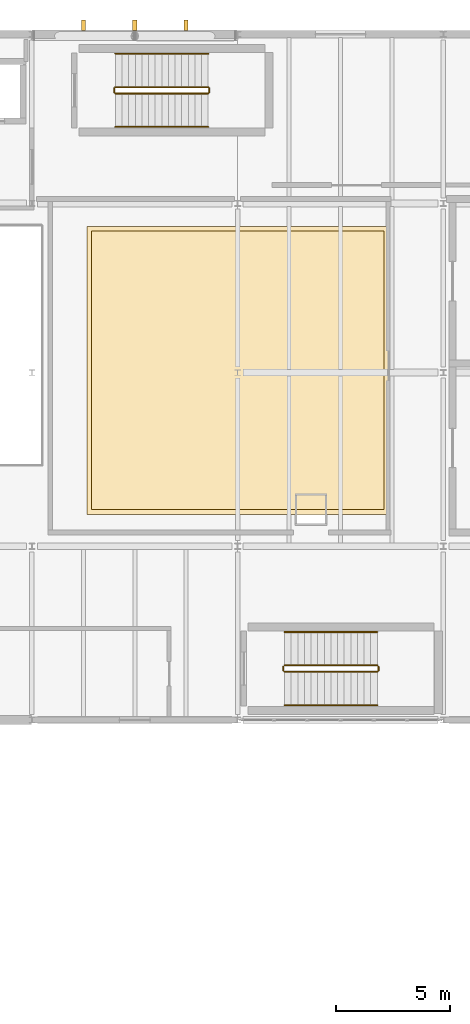
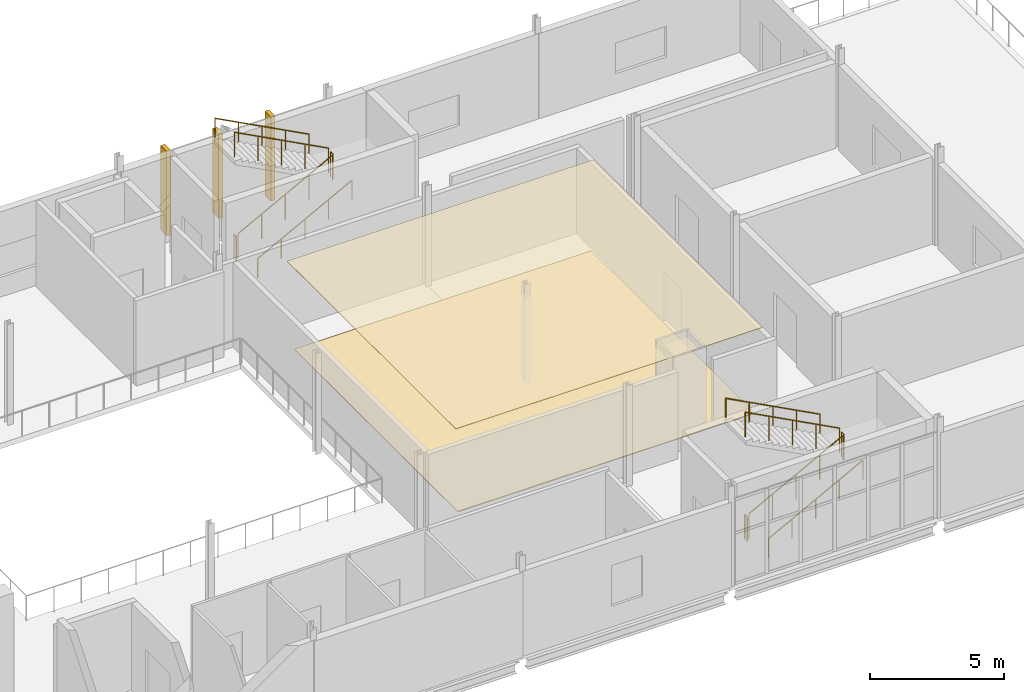
# One storey, part 36 of 37: 12 railings, 3 shading devices, 2 coverings.
"""IFC4 building model written with IfcOpenShell, lengths in metres."""

import ifcopenshell
import ifcopenshell.guid

model = None  # the IFC model being written
_history = None  # IfcOwnerHistory: only IFC2X3 demands one
_inside = {}  # id of a spatial element -> (the spatial element, [elements in it])
_under = {}  # id of a project, library or spatial element -> (it, [spatial elements below it])
_declared = {}  # id of a project -> (the project, [libraries it declares])
_typed = {}  # id of a type object -> (the type object, [elements of that type])
_made_of = {}  # id of a material, layer set ... -> (it, [elements and type objects made of it])


def new_model(schema):
    """Start an empty IFC model of exactly this schema.

    Asked for "IFC4X3", IfcOpenShell would pick the latest addendum, in which some entities
    have other attributes; the version numbers below select the first issue.
    IFC2X3 requires an IfcOwnerHistory on every rooted entity: one is made here for all.
    """
    global model, _history
    if schema == "IFC4X3":
        model = ifcopenshell.file(schema_version=(4, 3, 0, 0))
    else:
        model = ifcopenshell.file(schema=schema)
    _inside.clear()
    _under.clear()
    _declared.clear()
    _typed.clear()
    _made_of.clear()
    _history = None
    if model.schema == "IFC2X3":
        org = make("IfcOrganization", Name="unknown")
        user = make(
            "IfcPersonAndOrganization",
            ThePerson=make("IfcPerson", FamilyName="unknown"),
            TheOrganization=org,
        )
        app = make(
            "IfcApplication",
            ApplicationDeveloper=org,
            Version="unknown",
            ApplicationFullName="unknown",
            ApplicationIdentifier="unknown",
        )
        _history = make(
            "IfcOwnerHistory",
            OwningUser=user,
            OwningApplication=app,
            ChangeAction="ADDED",
            CreationDate=0,
        )
    return model


def make(cls, **values):
    """One entity of the class cls with the attributes given. An attribute that is None is left unset."""
    return model.create_entity(
        cls, **{name: value for name, value in values.items() if value is not None}
    )


def rooted(cls, **values):
    """An entity with a GlobalId (a new one), such as an element, a storey or a relation."""
    return make(cls, GlobalId=ifcopenshell.guid.new(), OwnerHistory=_history, **values)


def si_unit(unit_type, name, prefix=None):
    """IfcSIUnit, for example si_unit("LENGTHUNIT", "METRE", prefix="MILLI")."""
    return make("IfcSIUnit", UnitType=unit_type, Prefix=prefix, Name=name)


def assignment(units):
    """IfcUnitAssignment: the units of a project."""
    return None if units is None else make("IfcUnitAssignment", Units=units)


def point(xyz):
    """IfcCartesianPoint."""
    return None if xyz is None else make("IfcCartesianPoint", Coordinates=xyz)


def direction(xyz):
    """IfcDirection."""
    return None if xyz is None else make("IfcDirection", DirectionRatios=xyz)


def frame(location, z_axis=None, x_axis=None):
    """IfcAxis2Placement3D, a coordinate frame: its origin and axes. An axis left out is left unset."""
    return make(
        "IfcAxis2Placement3D",
        Location=point(location),
        Axis=direction(z_axis),
        RefDirection=direction(x_axis),
    )


def frame_2d(location, x_axis=None):
    """IfcAxis2Placement2D, a coordinate frame in the plane: its origin and x axis."""
    return make(
        "IfcAxis2Placement2D", Location=point(location), RefDirection=direction(x_axis)
    )


def origin():
    """The frame at (0, 0, 0) with its axes left unset."""
    return frame((0.0, 0.0, 0.0))


def origin_2d():
    """The frame at (0, 0) in the plane with its x axis left unset."""
    return frame_2d((0.0, 0.0))


def place(relative_to, where):
    """IfcLocalPlacement: puts the frame where relative to a parent placement (None: the world)."""
    return make(
        "IfcLocalPlacement", PlacementRelTo=relative_to, RelativePlacement=where
    )


def context(
    kind, dimensions, precision=None, world=None, true_north=None, identifier=None
):
    """IfcGeometricRepresentationContext, for example the 3D "Model" context."""
    return make(
        "IfcGeometricRepresentationContext",
        ContextIdentifier=identifier,
        ContextType=kind,
        CoordinateSpaceDimension=dimensions,
        Precision=precision,
        WorldCoordinateSystem=world,
        TrueNorth=true_north,
    )


def subcontext(parent, identifier, kind, view, scale=None):
    """IfcGeometricRepresentationSubContext, for example "Body" below "Model"."""
    return make(
        "IfcGeometricRepresentationSubContext",
        ContextIdentifier=identifier,
        ContextType=kind,
        ParentContext=parent,
        TargetScale=scale,
        TargetView=view,
    )


def project(units=None, contexts=None):
    """IfcProject with its units and contexts."""
    return rooted(
        "IfcProject",
        Name="project",
        RepresentationContexts=contexts,
        UnitsInContext=assignment(units),
    )


def spatial(cls, under=None, at=None, **own):
    """A site, building, storey or space (cls), placed at a placement, below another one or the project."""
    s = rooted(cls, ObjectPlacement=at, **own)
    if under is not None:
        _under.setdefault(under.id(), (under, []))[1].append(s)
    return s


def polyline(points):
    """IfcPolyline through the points."""
    return make("IfcPolyline", Points=[point(p) for p in points])


def profile(cls, at=None, kind="AREA", **sizes):
    """A parametric profile (cls). Its sizes go by their IFC names, for example OverallWidth=200.0."""
    return make(cls, ProfileType=kind, Position=at, **sizes)


def rectangle(**sizes):
    """IfcRectangleProfileDef."""
    return profile("IfcRectangleProfileDef", **sizes)


def circle(**sizes):
    """IfcCircleProfileDef."""
    return profile("IfcCircleProfileDef", **sizes)


def outline(outer, holes=None, kind="AREA"):
    """IfcArbitraryClosedProfileDef: a profile drawn as a closed curve; with holes, ...WithVoids."""
    if holes is None:
        return make("IfcArbitraryClosedProfileDef", ProfileType=kind, OuterCurve=outer)
    return make(
        "IfcArbitraryProfileDefWithVoids",
        ProfileType=kind,
        OuterCurve=outer,
        InnerCurves=holes,
    )


def extrude(swept, where, along, depth):
    """IfcExtrudedAreaSolid: the profile swept, set in the frame where, extruded along a direction by depth."""
    return make(
        "IfcExtrudedAreaSolid",
        SweptArea=swept,
        Position=where,
        ExtrudedDirection=direction(along),
        Depth=depth,
    )


def shape(context_of_items, identifier, shape_type, items):
    """IfcShapeRepresentation: the items that make up one representation, for example the "Body"."""
    return make(
        "IfcShapeRepresentation",
        ContextOfItems=context_of_items,
        RepresentationIdentifier=identifier,
        RepresentationType=shape_type,
        Items=items,
    )


def material(Name=None, Category=None):
    """IfcMaterial."""
    return make("IfcMaterial", Name=Name, Category=Category)


def layer(
    of_material, thickness, ventilated=None, Name=None, Category=None, Priority=None
):
    """IfcMaterialLayer: one layer of a wall or slab, of a material (None: an air gap)."""
    return make(
        "IfcMaterialLayer",
        Material=of_material,
        LayerThickness=thickness,
        IsVentilated=ventilated,
        Name=Name,
        Category=Category,
        Priority=Priority,
    )


def layer_set(layers, Name=None):
    """IfcMaterialLayerSet."""
    return make("IfcMaterialLayerSet", MaterialLayers=layers, LayerSetName=Name)


def made_of(thing, what):
    """Note that an element or type object is made of a material, layer set ...; save() writes the relation."""
    if what is not None:
        _made_of.setdefault(what.id(), (what, []))[1].append(thing)
    return thing


def type_object(cls, material=None, **own):
    """A type object (cls), such as IfcWallType, which elements share."""
    return made_of(rooted(cls, **own), material)


def element(
    cls,
    number,
    at=None,
    inside=None,
    cuts=None,
    type_object=None,
    material=None,
    context=None,
    identifier="Body",
    shape_type=None,
    held_by="IfcProductDefinitionShape",
    body=None,
    shapes=None,
    **own,
):
    """One element of the class cls, such as IfcWall. Its Tag is "e" and its number.

    at: its placement. inside: the storey or other place that contains it. cuts: it is an
    opening in that element (IfcRelVoidsElement). A single representation is given by context,
    identifier, shape_type and body (its items); several are given by shapes. held_by: the class
    of the entity that holds the representations. save() writes the other relations.
    """
    e = rooted(cls, Tag="e%d" % number, ObjectPlacement=at, **own)
    if body is not None:
        shapes = [shape(context, identifier, shape_type, body)]
    if shapes is not None:
        e.Representation = make(held_by, Representations=shapes)
    if inside is not None:
        _inside.setdefault(inside.id(), (inside, []))[1].append(e)
    if cuts is not None:
        rooted(
            "IfcRelVoidsElement", RelatingBuildingElement=cuts, RelatedOpeningElement=e
        )
    if type_object is not None:
        _typed.setdefault(type_object.id(), (type_object, []))[1].append(e)
    return made_of(e, material)


def aggregate(whole, parts):
    """IfcRelAggregates: a whole, such as a stair, and the parts it consists of."""
    return rooted("IfcRelAggregates", RelatingObject=whole, RelatedObjects=parts)


def save(model, path):
    """Write the relations noted so far, then the file.

    IfcRelAggregates (storeys below a building ...), IfcRelContainedInSpatialStructure (elements
    in a storey), IfcRelDefinesByType, IfcRelAssociatesMaterial and IfcRelDeclares: one each for
    every whole, place, type object, material and project.
    """
    for whole, parts in _under.values():
        aggregate(whole, parts)
    for where, things in _inside.values():
        rooted(
            "IfcRelContainedInSpatialStructure",
            RelatedElements=things,
            RelatingStructure=where,
        )
    for kind, things in _typed.values():
        rooted("IfcRelDefinesByType", RelatedObjects=things, RelatingType=kind)
    for what, things in _made_of.values():
        rooted("IfcRelAssociatesMaterial", RelatedObjects=things, RelatingMaterial=what)
    for by, libraries in _declared.values():
        rooted("IfcRelDeclares", RelatingContext=by, RelatedDefinitions=libraries)
    model.write(path)


model = new_model("IFC4")

# Units and contexts
model_context = context("Model", 3, precision=1e-05, world=origin(), true_north=direction((0.0, 1.0)))
body_context = subcontext(model_context, "Body", "Model", "MODEL_VIEW")
ifc_project = project(units=[si_unit("LENGTHUNIT", "METRE"), si_unit("AREAUNIT", "SQUARE_METRE"), si_unit("VOLUMEUNIT", "CUBIC_METRE"), si_unit("PLANEANGLEUNIT", "RADIAN"), si_unit("MASSUNIT", "GRAM", prefix="KILO")], contexts=[model_context])

# Site, building, storey
site_placement = place(None, origin())
site = spatial("IfcSite", under=ifc_project, at=site_placement, CompositionType="ELEMENT")
building_placement = place(site_placement, origin())
building = spatial("IfcBuilding", under=site, at=building_placement, Name="Shengluoqiao Park Theatre", CompositionType="ELEMENT")
storey_placement = place(building_placement, frame((0.0, 0.0, 19.199951171875)))
storey = spatial("IfcBuildingStorey", under=building, at=storey_placement, Name="L04", CompositionType="ELEMENT", Elevation=19.199951171875)

# Shading devices
ifc_material_1 = material(Name="Concrete C45", Category="concrete")
ifc_layer_1 = layer(ifc_material_1, 0.179931640625, Name="Concrete C45")
ifc_layer_set_1 = layer_set([ifc_layer_1], Name="Concrete C45")
shading_device_type = type_object("IfcShadingDeviceType", Name="ENV-FIN-450x180", PredefinedType="USERDEFINED", material=ifc_layer_set_1)
for number, where, z_axis, x_axis, name in (
    (1, (132.655029296875, 114.39990234375, 0.02001953125), (0.0, 0.0, 1.0), (0.0, 1.0, 0.0), "L04 Vertical Concrete Acoustic Rib 0156"),
    (2, (134.89990234375, 114.39990234375, 0.02001953125), (0.0, 0.0, 1.0), (0.0, 1.0, 0.0), "L04 Vertical Concrete Acoustic Rib 0157"),
    (3, (137.14501953125, 114.39990234375, 0.02001953125), (0.0, 0.0, 1.0), (0.0, 1.0, 0.0), "L04 Vertical Concrete Acoustic Rib 0158"),
):
    element("IfcShadingDevice", number, at=place(storey_placement, frame(where, z_axis=z_axis, x_axis=x_axis)), inside=storey, type_object=shading_device_type, Name=name, ObjectType="FIN", PredefinedType="USERDEFINED", context=body_context, shape_type="SweptSolid", body=[
        extrude(rectangle(XDim=0.449951171875, YDim=0.179931640625, at=origin_2d()), origin(), (0.0, 0.0, 1.0), 3.837890625),
    ])

# Coverings
ifc_material_2 = material(Name="Mineral fibre acoustic tile")
ifc_layer_2 = layer(ifc_material_2, 0.02490234375, Name="Mineral fibre acoustic tile")
ifc_layer_set_2 = layer_set([ifc_layer_2], Name="Mineral fibre acoustic tile")
covering_type_1 = type_object("IfcCoveringType", Name="INT-COV-CLG3", PredefinedType="CEILING", material=ifc_layer_set_2)
covering_1_placement = place(storey_placement, frame((0.0, 0.0, 3.965087890625)))
element("IfcCovering", 4, at=covering_1_placement, inside=storey, type_object=covering_type_1, Name="Sheet Music Archive Acoustic Ceiling", PredefinedType="CEILING", context=body_context, shape_type="SweptSolid", body=[
    extrude(outline(polyline([(132.800048828125, 93.0), (146.0, 93.0), (146.0, 105.60009765625), (132.800048828125, 105.60009765625), (132.800048828125, 93.0)])), origin(), (0.0, 0.0, 1.0), 0.02490234375),
])
ifc_material_3 = material(Name="Engineered oak acoustic parquet", Category="wood")
ifc_layer_3 = layer(ifc_material_3, 0.034912109375, Name="Engineered oak acoustic parquet")
ifc_layer_set_3 = layer_set([ifc_layer_3], Name="Engineered oak acoustic parquet")
covering_type_2 = type_object("IfcCoveringType", Name="INT-COV-FLR2", PredefinedType="FLOORING", material=ifc_layer_set_3)
covering_2_placement = place(storey_placement, origin())
element("IfcCovering", 5, at=covering_2_placement, inside=storey, type_object=covering_type_2, Name="Sheet Music Archive Timber Flooring", PredefinedType="FLOORING", context=body_context, shape_type="SweptSolid", body=[
    extrude(outline(polyline([(133.0, 93.199951171875), (145.800048828125, 93.199951171875), (145.800048828125, 105.39990234375), (133.0, 105.39990234375), (133.0, 93.199951171875)])), origin(), (0.0, 0.0, 1.0), 0.03515625),
])

# Railings
ifc_material_4 = material(Name="Painted steel", Category="steel")
railing_type_1 = type_object("IfcRailingType", Name="INT-RL-STGRD", PredefinedType="GUARDRAIL", material=ifc_material_4)
railing_1_placement = place(storey_placement, frame((134.050048828125, 111.409912109375, 0.1533203125)))
element("IfcRailing", 6, at=railing_1_placement, inside=storey, type_object=railing_type_1, Name="L04 ST-06 stair guard 1", PredefinedType="GUARDRAIL", context=body_context, shape_type="SweptSolid", body=[
    extrude(circle(Radius=0.02392578125, at=origin_2d()), frame((0.0, 0.0, 1.1259765625), z_axis=(0.884032182968, 0.0, 0.46742603637), x_axis=(0.0, 1.0, 0.0)), (0.0, 0.0, 1.0), 4.5927734375),
    extrude(circle(Radius=0.02099609375, at=origin_2d()), origin(), (0.0, 0.0, 1.0), 1.101806640625),
    extrude(circle(Radius=0.02099609375, at=origin_2d()), frame((1.01513671875, 0.0, 0.53662109375)), (0.0, 0.0, 1.0), 1.101806640625),
    extrude(circle(Radius=0.02099609375, at=origin_2d()), frame((2.030029296875, 0.0, 1.0732421875)), (0.0, 0.0, 1.0), 1.101806640625),
    extrude(circle(Radius=0.02099609375, at=origin_2d()), frame((3.044921875, 0.0, 1.610107421875)), (0.0, 0.0, 1.0), 1.101806640625),
    extrude(circle(Radius=0.02099609375, at=origin_2d()), frame((4.06005859375, 0.0, 2.146728515625)), (0.0, 0.0, 1.0), 1.101806640625),
])
railing_2_placement = place(storey_placement, frame((138.159912109375, 111.4599609375, 2.300048828125)))
element("IfcRailing", 7, at=railing_2_placement, inside=storey, type_object=railing_type_1, Name="L04 ST-06 stair guard 2", PredefinedType="GUARDRAIL", context=body_context, shape_type="SweptSolid", body=[
    extrude(circle(Radius=0.02392578125, at=origin_2d()), frame((0.0, 0.0, 1.1259765625), z_axis=(0.0, 1.0, 0.0), x_axis=(-1.0, 0.0, 0.0)), (0.0, 0.0, 1.0), 0.179931640625),
    extrude(circle(Radius=0.02099609375, at=origin_2d()), origin(), (0.0, 0.0, 1.0), 1.101806640625),
    extrude(circle(Radius=0.02099609375, at=origin_2d()), frame((0.0, 0.179931640625, 0.0)), (0.0, 0.0, 1.0), 1.101806640625),
])
railing_3_placement = place(storey_placement, frame((138.110107421875, 111.68994140625, 2.453369140625)))
element("IfcRailing", 8, at=railing_3_placement, inside=storey, type_object=railing_type_1, Name="L04 ST-06 stair guard 3", PredefinedType="GUARDRAIL", context=body_context, shape_type="SweptSolid", body=[
    extrude(circle(Radius=0.02392578125, at=origin_2d()), frame((0.0, 0.0, 1.1259765625), z_axis=(-0.884032182968, 0.0, 0.46742603637), x_axis=(0.0, -1.0, 0.0)), (0.0, 0.0, 1.0), 4.5927734375),
    extrude(circle(Radius=0.02099609375, at=origin_2d()), origin(), (0.0, 0.0, 1.0), 1.101806640625),
    extrude(circle(Radius=0.02099609375, at=origin_2d()), frame((-1.01513671875, 0.0, 0.53662109375)), (0.0, 0.0, 1.0), 1.101806640625),
    extrude(circle(Radius=0.02099609375, at=origin_2d()), frame((-2.030029296875, 0.0, 1.0732421875)), (0.0, 0.0, 1.0), 1.101806640625),
    extrude(circle(Radius=0.02099609375, at=origin_2d()), frame((-3.044921875, 0.0, 1.610107421875)), (0.0, 0.0, 1.0), 1.101806640625),
    extrude(circle(Radius=0.02099609375, at=origin_2d()), frame((-4.06005859375, 0.0, 2.146728515625)), (0.0, 0.0, 1.0), 1.101806640625),
])
railing_4_placement = place(storey_placement, frame((134.0, 111.4599609375, 0.0)))
element("IfcRailing", 9, at=railing_4_placement, inside=storey, type_object=railing_type_1, Name="L04 ST-06 stair guard 4", PredefinedType="GUARDRAIL", context=body_context, shape_type="SweptSolid", body=[
    extrude(circle(Radius=0.02392578125, at=origin_2d()), frame((0.0, 0.0, 1.1259765625), z_axis=(0.0, 1.0, 0.0), x_axis=(-1.0, 0.0, 0.0)), (0.0, 0.0, 1.0), 0.179931640625),
    extrude(circle(Radius=0.02099609375, at=origin_2d()), origin(), (0.0, 0.0, 1.0), 1.101806640625),
    extrude(circle(Radius=0.02099609375, at=origin_2d()), frame((0.0, 0.179931640625, 0.0)), (0.0, 0.0, 1.0), 1.101806640625),
])
railing_5_placement = place(storey_placement, frame((141.449951171875, 86.110107421875, 0.1533203125)))
element("IfcRailing", 10, at=railing_5_placement, inside=storey, type_object=railing_type_1, Name="L04 ST-10 stair guard 1", PredefinedType="GUARDRAIL", context=body_context, shape_type="SweptSolid", body=[
    extrude(circle(Radius=0.02392578125, at=origin_2d()), frame((0.0, 0.0, 1.1259765625), z_axis=(0.884032182968, 0.0, 0.46742603637), x_axis=(0.0, 1.0, 0.0)), (0.0, 0.0, 1.0), 4.5927734375),
    extrude(circle(Radius=0.02099609375, at=origin_2d()), origin(), (0.0, 0.0, 1.0), 1.101806640625),
    extrude(circle(Radius=0.02099609375, at=origin_2d()), frame((1.01513671875, 0.0, 0.53662109375)), (0.0, 0.0, 1.0), 1.101806640625),
    extrude(circle(Radius=0.02099609375, at=origin_2d()), frame((2.030029296875, 0.0, 1.0732421875)), (0.0, 0.0, 1.0), 1.101806640625),
    extrude(circle(Radius=0.02099609375, at=origin_2d()), frame((3.044921875, 0.0, 1.610107421875)), (0.0, 0.0, 1.0), 1.101806640625),
    extrude(circle(Radius=0.02099609375, at=origin_2d()), frame((4.06005859375, 0.0, 2.146728515625)), (0.0, 0.0, 1.0), 1.101806640625),
])
railing_6_placement = place(storey_placement, frame((145.56005859375, 86.159912109375, 2.300048828125)))
element("IfcRailing", 11, at=railing_6_placement, inside=storey, type_object=railing_type_1, Name="L04 ST-10 stair guard 2", PredefinedType="GUARDRAIL", context=body_context, shape_type="SweptSolid", body=[
    extrude(circle(Radius=0.02392578125, at=origin_2d()), frame((0.0, 0.0, 1.1259765625), z_axis=(0.0, 1.0, 0.0), x_axis=(-1.0, 0.0, 0.0)), (0.0, 0.0, 1.0), 0.18017578125),
    extrude(circle(Radius=0.02099609375, at=origin_2d()), origin(), (0.0, 0.0, 1.0), 1.101806640625),
    extrude(circle(Radius=0.02099609375, at=origin_2d()), frame((0.0, 0.18017578125, 0.0)), (0.0, 0.0, 1.0), 1.101806640625),
])
railing_7_placement = place(storey_placement, frame((145.510009765625, 86.389892578125, 2.453369140625)))
element("IfcRailing", 12, at=railing_7_placement, inside=storey, type_object=railing_type_1, Name="L04 ST-10 stair guard 3", PredefinedType="GUARDRAIL", context=body_context, shape_type="SweptSolid", body=[
    extrude(circle(Radius=0.02392578125, at=origin_2d()), frame((0.0, 0.0, 1.1259765625), z_axis=(-0.884032182968, 0.0, 0.46742603637), x_axis=(0.0, -1.0, 0.0)), (0.0, 0.0, 1.0), 4.5927734375),
    extrude(circle(Radius=0.02099609375, at=origin_2d()), origin(), (0.0, 0.0, 1.0), 1.101806640625),
    extrude(circle(Radius=0.02099609375, at=origin_2d()), frame((-1.01513671875, 0.0, 0.53662109375)), (0.0, 0.0, 1.0), 1.101806640625),
    extrude(circle(Radius=0.02099609375, at=origin_2d()), frame((-2.030029296875, 0.0, 1.0732421875)), (0.0, 0.0, 1.0), 1.101806640625),
    extrude(circle(Radius=0.02099609375, at=origin_2d()), frame((-3.044921875, 0.0, 1.610107421875)), (0.0, 0.0, 1.0), 1.101806640625),
    extrude(circle(Radius=0.02099609375, at=origin_2d()), frame((-4.06005859375, 0.0, 2.146728515625)), (0.0, 0.0, 1.0), 1.101806640625),
])
railing_8_placement = place(storey_placement, frame((141.39990234375, 86.159912109375, 0.0)))
element("IfcRailing", 13, at=railing_8_placement, inside=storey, type_object=railing_type_1, Name="L04 ST-10 stair guard 4", PredefinedType="GUARDRAIL", context=body_context, shape_type="SweptSolid", body=[
    extrude(circle(Radius=0.02392578125, at=origin_2d()), frame((0.0, 0.0, 1.1259765625), z_axis=(0.0, 1.0, 0.0), x_axis=(-1.0, 0.0, 0.0)), (0.0, 0.0, 1.0), 0.18017578125),
    extrude(circle(Radius=0.02099609375, at=origin_2d()), origin(), (0.0, 0.0, 1.0), 1.101806640625),
    extrude(circle(Radius=0.02099609375, at=origin_2d()), frame((0.0, 0.18017578125, 0.0)), (0.0, 0.0, 1.0), 1.101806640625),
])
ifc_material_5 = material(Name="Stainless steel 304", Category="steel")
railing_type_2 = type_object("IfcRailingType", Name="INT-RL-STHR", PredefinedType="HANDRAIL", material=ifc_material_5)
railing_9_placement = place(storey_placement, frame((134.050048828125, 109.949951171875, 0.1533203125)))
element("IfcRailing", 14, at=railing_9_placement, inside=storey, type_object=railing_type_2, Name="L04 ST-06 stair handrail 1", PredefinedType="HANDRAIL", context=body_context, shape_type="SweptSolid", body=[
    extrude(circle(Radius=0.02392578125, at=origin_2d()), frame((0.0, 0.0, 0.8759765625), z_axis=(0.884032182968, 0.0, 0.46742603637), x_axis=(0.0, 1.0, 0.0)), (0.0, 0.0, 1.0), 4.5927734375),
    extrude(circle(Radius=0.02099609375, at=origin_2d()), origin(), (0.0, 0.0, 1.0), 0.851806640625),
    extrude(circle(Radius=0.02099609375, at=origin_2d()), frame((1.01513671875, 0.0, 0.53662109375)), (0.0, 0.0, 1.0), 0.851806640625),
    extrude(circle(Radius=0.02099609375, at=origin_2d()), frame((2.030029296875, 0.0, 1.0732421875)), (0.0, 0.0, 1.0), 0.851806640625),
    extrude(circle(Radius=0.02099609375, at=origin_2d()), frame((3.044921875, 0.0, 1.610107421875)), (0.0, 0.0, 1.0), 0.851806640625),
    extrude(circle(Radius=0.02099609375, at=origin_2d()), frame((4.06005859375, 0.0, 2.146728515625)), (0.0, 0.0, 1.0), 0.851806640625),
])
railing_10_placement = place(storey_placement, frame((138.110107421875, 113.14990234375, 2.453369140625)))
element("IfcRailing", 15, at=railing_10_placement, inside=storey, type_object=railing_type_2, Name="L04 ST-06 stair handrail 2", PredefinedType="HANDRAIL", context=body_context, shape_type="SweptSolid", body=[
    extrude(circle(Radius=0.02392578125, at=origin_2d()), frame((0.0, 0.0, 0.8759765625), z_axis=(-0.884032182968, 0.0, 0.46742603637), x_axis=(0.0, -1.0, 0.0)), (0.0, 0.0, 1.0), 4.5927734375),
    extrude(circle(Radius=0.02099609375, at=origin_2d()), origin(), (0.0, 0.0, 1.0), 0.851806640625),
    extrude(circle(Radius=0.02099609375, at=origin_2d()), frame((-1.01513671875, 0.0, 0.53662109375)), (0.0, 0.0, 1.0), 0.851806640625),
    extrude(circle(Radius=0.02099609375, at=origin_2d()), frame((-2.030029296875, 0.0, 1.0732421875)), (0.0, 0.0, 1.0), 0.851806640625),
    extrude(circle(Radius=0.02099609375, at=origin_2d()), frame((-3.044921875, 0.0, 1.610107421875)), (0.0, 0.0, 1.0), 0.851806640625),
    extrude(circle(Radius=0.02099609375, at=origin_2d()), frame((-4.06005859375, 0.0, 2.146728515625)), (0.0, 0.0, 1.0), 0.851806640625),
])
railing_11_placement = place(storey_placement, frame((141.449951171875, 84.64990234375, 0.1533203125)))
element("IfcRailing", 16, at=railing_11_placement, inside=storey, type_object=railing_type_2, Name="L04 ST-10 stair handrail 1", PredefinedType="HANDRAIL", context=body_context, shape_type="SweptSolid", body=[
    extrude(circle(Radius=0.02392578125, at=origin_2d()), frame((0.0, 0.0, 0.8759765625), z_axis=(0.884032182968, 0.0, 0.46742603637), x_axis=(0.0, 1.0, 0.0)), (0.0, 0.0, 1.0), 4.5927734375),
    extrude(circle(Radius=0.02099609375, at=origin_2d()), origin(), (0.0, 0.0, 1.0), 0.851806640625),
    extrude(circle(Radius=0.02099609375, at=origin_2d()), frame((1.01513671875, 0.0, 0.53662109375)), (0.0, 0.0, 1.0), 0.851806640625),
    extrude(circle(Radius=0.02099609375, at=origin_2d()), frame((2.030029296875, 0.0, 1.0732421875)), (0.0, 0.0, 1.0), 0.851806640625),
    extrude(circle(Radius=0.02099609375, at=origin_2d()), frame((3.044921875, 0.0, 1.610107421875)), (0.0, 0.0, 1.0), 0.851806640625),
    extrude(circle(Radius=0.02099609375, at=origin_2d()), frame((4.06005859375, 0.0, 2.146728515625)), (0.0, 0.0, 1.0), 0.851806640625),
])
railing_12_placement = place(storey_placement, frame((145.510009765625, 87.85009765625, 2.453369140625)))
element("IfcRailing", 17, at=railing_12_placement, inside=storey, type_object=railing_type_2, Name="L04 ST-10 stair handrail 2", PredefinedType="HANDRAIL", context=body_context, shape_type="SweptSolid", body=[
    extrude(circle(Radius=0.02392578125, at=origin_2d()), frame((0.0, 0.0, 0.8759765625), z_axis=(-0.884032182968, 0.0, 0.46742603637), x_axis=(0.0, -1.0, 0.0)), (0.0, 0.0, 1.0), 4.5927734375),
    extrude(circle(Radius=0.02099609375, at=origin_2d()), origin(), (0.0, 0.0, 1.0), 0.851806640625),
    extrude(circle(Radius=0.02099609375, at=origin_2d()), frame((-1.01513671875, 0.0, 0.53662109375)), (0.0, 0.0, 1.0), 0.851806640625),
    extrude(circle(Radius=0.02099609375, at=origin_2d()), frame((-2.030029296875, 0.0, 1.0732421875)), (0.0, 0.0, 1.0), 0.851806640625),
    extrude(circle(Radius=0.02099609375, at=origin_2d()), frame((-3.044921875, 0.0, 1.610107421875)), (0.0, 0.0, 1.0), 0.851806640625),
    extrude(circle(Radius=0.02099609375, at=origin_2d()), frame((-4.06005859375, 0.0, 2.146728515625)), (0.0, 0.0, 1.0), 0.851806640625),
])

save(model, "model.ifc")
